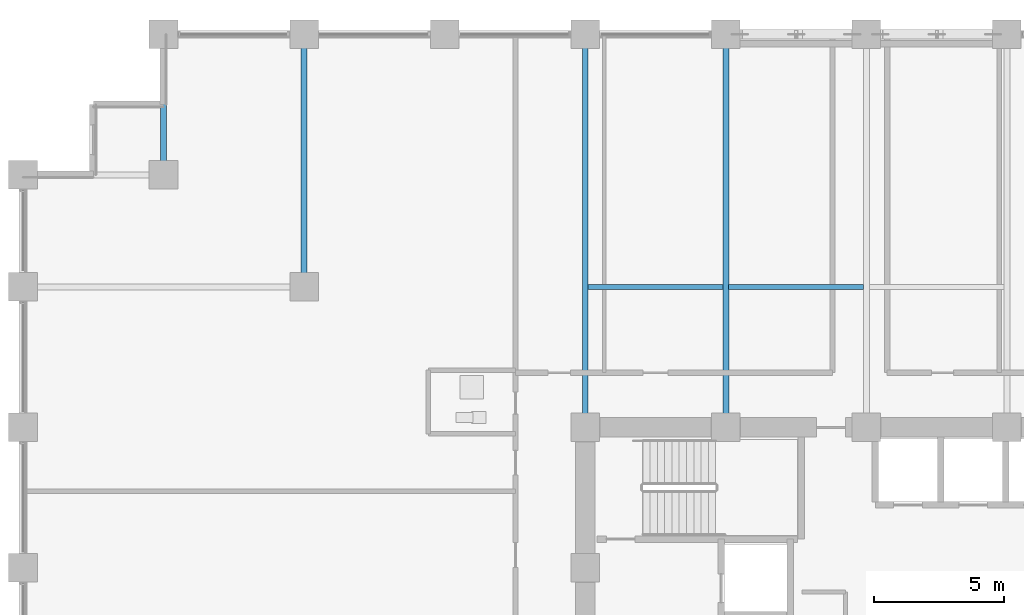
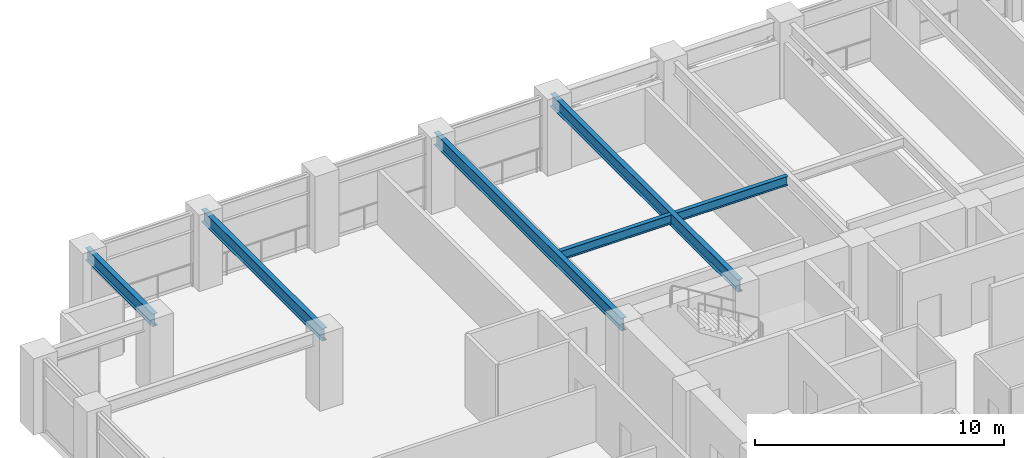
# One storey, part 12 of 30: 6 beams.
"""IFC4 building model written with IfcOpenShell, lengths in metres."""

from ifc_helpers import new_model, si_unit, direction, frame, origin, origin_2d, place, context, subcontext, project, spatial, i_section, extrude, material, material_profile, profile_set, type_object, element, save


model = new_model("IFC4")

# Units and contexts
model_context = context("Model", 3, precision=1e-05, world=origin(), true_north=direction((0.0, 1.0)))
body_context = subcontext(model_context, "Body", "Model", "MODEL_VIEW")
ifc_project = project(units=[si_unit("LENGTHUNIT", "METRE"), si_unit("AREAUNIT", "SQUARE_METRE"), si_unit("VOLUMEUNIT", "CUBIC_METRE"), si_unit("PLANEANGLEUNIT", "RADIAN"), si_unit("MASSUNIT", "GRAM", prefix="KILO")], contexts=[model_context])

# Site, building, storey
site_placement = place(None, origin())
site = spatial("IfcSite", under=ifc_project, at=site_placement, CompositionType="ELEMENT")
building_placement = place(site_placement, origin())
building = spatial("IfcBuilding", under=site, at=building_placement, Name="Surkhivell Harbour Commons", CompositionType="ELEMENT")
storey_placement = place(building_placement, frame((0.0, 0.0, 83.25)))
storey = spatial("IfcBuildingStorey", under=building, at=storey_placement, Name="L21", CompositionType="ELEMENT", Elevation=83.25)

# Beams
ifc_material = material(Name="Steel S355", Category="steel")
ifc_material_profile_1 = material_profile(ifc_material, i_section(OverallWidth=0.22998046875, OverallDepth=0.616943359375, WebThickness=0.01318359375, FlangeThickness=0.022216796875, at=origin_2d()), Name="UB610x229x140")
ifc_profile_set_1 = profile_set([ifc_material_profile_1], Name="Steel S355")
beam_type_1 = type_object("IfcBeamType", Name="BM-GRD-610B", PredefinedType="BEAM", material=ifc_profile_set_1)
beam_1_placement = place(storey_placement, frame((-27.0, 20.5, 3.261474609375), z_axis=(0.0, 1.0, 0.0), x_axis=(-1.0, 0.0, 0.0)))
element("IfcBeam", 1, at=beam_1_placement, inside=storey, type_object=beam_type_1, Name="L21 Floor Girder (-27.0,20.5)", PredefinedType="BEAM", context=body_context, shape_type="SweptSolid", body=[
    extrude(i_section(OverallWidth=0.22998046875, OverallDepth=0.616943359375, WebThickness=0.01318359375, FlangeThickness=0.022216796875, at=origin_2d()), origin(), (0.0, 0.0, 1.0), 5.39990234375),
])
beam_2_placement = place(storey_placement, frame((-21.60009765625, 16.199951171875, 3.261474609375), z_axis=(0.0, 1.0, 0.0), x_axis=(-1.0, 0.0, 0.0)))
element("IfcBeam", 2, at=beam_2_placement, inside=storey, type_object=beam_type_1, Name="L21 Floor Girder (-21.6,16.2)", PredefinedType="BEAM", context=body_context, shape_type="SweptSolid", body=[
    extrude(i_section(OverallWidth=0.22998046875, OverallDepth=0.616943359375, WebThickness=0.01318359375, FlangeThickness=0.022216796875, at=origin_2d()), origin(), (0.0, 0.0, 1.0), 9.699951171875),
])
for number, where, z_axis, x_axis, name in (
    (3, (-10.800048828125, 10.800048828125, 3.261474609375), (0.0, 1.0, 0.0), (-1.0, 0.0, 0.0), "L21 Floor Girder (-10.8,10.8)"),
    (4, (-5.39990234375, 10.800048828125, 3.261474609375), (0.0, 1.0, 0.0), (-1.0, 0.0, 0.0), "L21 Floor Girder (-5.4,10.8)"),
):
    element("IfcBeam", number, at=place(storey_placement, frame(where, z_axis=z_axis, x_axis=x_axis)), inside=storey, type_object=beam_type_1, Name=name, PredefinedType="BEAM", context=body_context, shape_type="SweptSolid", body=[
        extrude(i_section(OverallWidth=0.22998046875, OverallDepth=0.616943359375, WebThickness=0.01318359375, FlangeThickness=0.022216796875, at=origin_2d()), origin(), (0.0, 0.0, 1.0), 15.099853515625),
    ])
ifc_material_profile_2 = material_profile(ifc_material, i_section(OverallWidth=0.18994140625, OverallDepth=0.45703125, WebThickness=0.009033203125, FlangeThickness=0.014404296875, at=origin_2d()), Name="UB457x191x74")
ifc_profile_set_2 = profile_set([ifc_material_profile_2], Name="Steel S355")
beam_type_2 = type_object("IfcBeamType", Name="BM-JST-457B", PredefinedType="JOIST", material=ifc_profile_set_2)
for number, where, z_axis, x_axis, name in (
    (5, (-10.68701171875, 16.199951171875, 3.341552734375), (1.0, 0.0, 0.0), (0.0, 1.0, 0.0), "L21 North Composite Joist (-10.8)"),
    (6, (-5.287109375, 16.199951171875, 3.341552734375), (1.0, 0.0, 0.0), (0.0, 1.0, 0.0), "L21 North Composite Joist (-5.4)"),
):
    element("IfcBeam", number, at=place(storey_placement, frame(where, z_axis=z_axis, x_axis=x_axis)), inside=storey, type_object=beam_type_2, Name=name, PredefinedType="JOIST", context=body_context, shape_type="SweptSolid", body=[
        extrude(i_section(OverallWidth=0.18994140625, OverallDepth=0.45703125, WebThickness=0.009033203125, FlangeThickness=0.014404296875, at=origin_2d()), origin(), (0.0, 0.0, 1.0), 5.174072265625),
    ])

save(model, "model.ifc")
